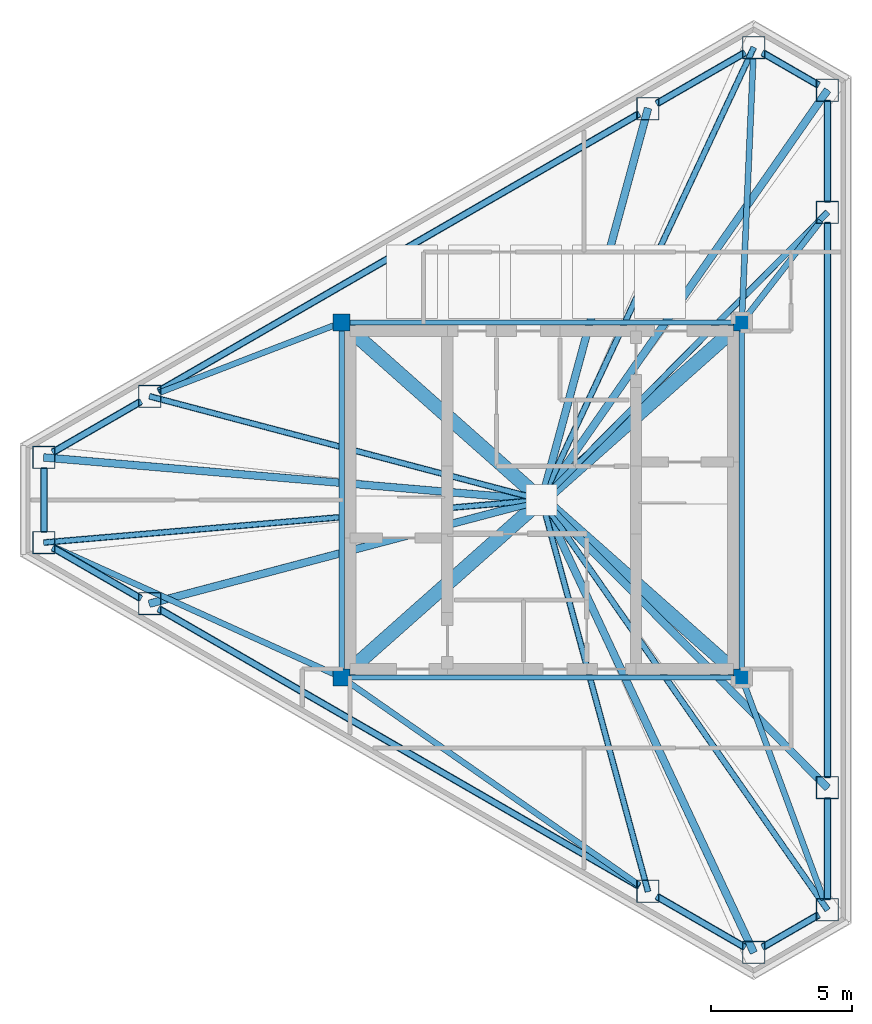
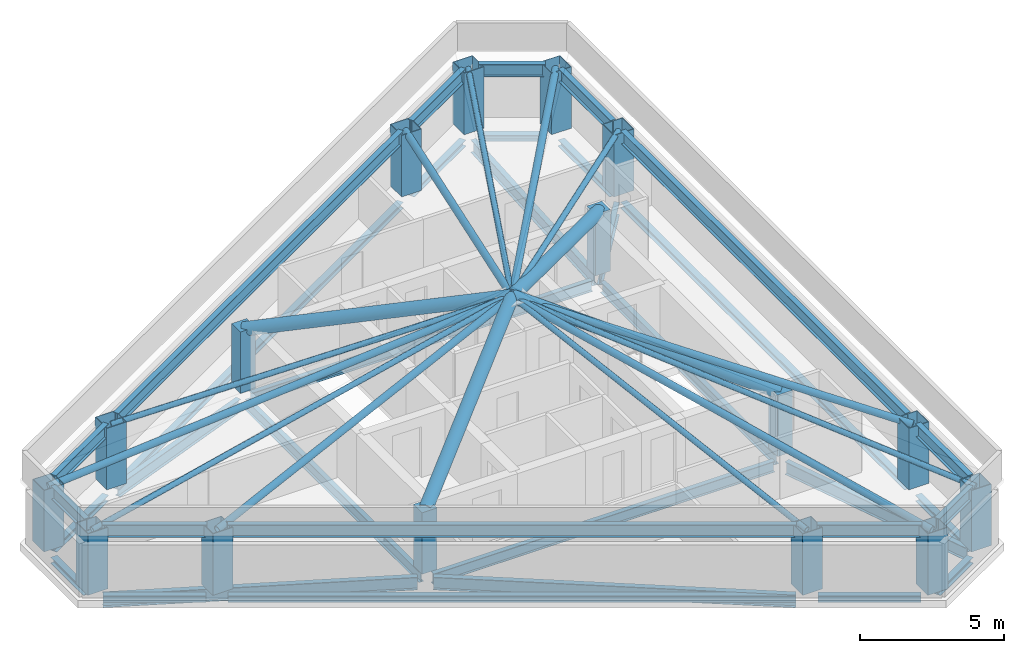
# One storey, part 1 of 5: 34 beams, 16 columns, 16 members.
"""IFC4 building model written with IfcOpenShell, lengths in metres."""

from ifc_helpers import new_model, si_unit, direction, frame, origin, origin_2d, place, context, subcontext, project, spatial, rectangle, hollow_rectangle, hollow_circle, i_section, extrude, material, material_profile, profile_set, type_object, element, save


model = new_model("IFC4")

# Units and contexts
model_context = context("Model", 3, precision=1e-05, world=origin(), true_north=direction((0.0, 1.0)))
body_context = subcontext(model_context, "Body", "Model", "MODEL_VIEW")
ifc_project = project(units=[si_unit("LENGTHUNIT", "METRE"), si_unit("AREAUNIT", "SQUARE_METRE"), si_unit("VOLUMEUNIT", "CUBIC_METRE"), si_unit("PLANEANGLEUNIT", "RADIAN"), si_unit("MASSUNIT", "GRAM", prefix="KILO")], contexts=[model_context])

# Site, building, storey
site_placement = place(None, origin())
site = spatial("IfcSite", under=ifc_project, at=site_placement, CompositionType="ELEMENT")
building_placement = place(site_placement, origin())
building = spatial("IfcBuilding", under=site, at=building_placement, Name="Mersakhor Tower and Convention Hall", CompositionType="ELEMENT")
storey_placement = place(building_placement, frame((0.0, 0.0, 264.0)))
storey = spatial("IfcBuildingStorey", under=building, at=storey_placement, Name="L73", CompositionType="ELEMENT", Elevation=264.0)

# Columns
ifc_material_1 = material(Name="Concrete C50/60 in S460M steel box", Category="concrete")
ifc_material_profile_1 = material_profile(ifc_material_1, hollow_rectangle(XDim=0.800048828125, YDim=0.800048828125, WallThickness=0.02490234375, at=origin_2d()), Name="SHS 800x800x25")
ifc_profile_set_1 = profile_set([ifc_material_profile_1], Name="Concrete C50/60 in S460M steel box")
column_type_1 = type_object("IfcColumnType", Name="COL-CFT-800", PredefinedType="COLUMN", material=ifc_profile_set_1)
for number, where, z_axis, x_axis, name in (
    (1, (11.33203125, 28.26123046875, 0.0), (0.0, 0.0, 1.0), (1.0, 0.0, 0.0), "L73 Perimeter Mega-Column MC-01"),
    (2, (15.085693359375, 30.428466796875, 0.0), (0.0, 0.0, 1.0), (1.0, 0.0, 0.0), "L73 Perimeter Mega-Column MC-02"),
    (3, (32.771484375, 40.639404296875, 0.0), (0.0, 0.0, 1.0), (1.0, 0.0, 0.0), "L73 Perimeter Mega-Column MC-03"),
    (4, (36.525146484375, 42.806640625, 0.0), (0.0, 0.0, 1.0), (1.0, 0.0, 0.0), "L73 Perimeter Mega-Column MC-04"),
    (5, (39.142822265625, 41.29541015625, 0.0), (0.0, 0.0, 1.0), (1.0, 0.0, 0.0), "L73 Perimeter Mega-Column MC-05"),
    (6, (39.142822265625, 36.960693359375, 0.0), (0.0, 0.0, 1.0), (1.0, 0.0, 0.0), "L73 Perimeter Mega-Column MC-06"),
    (7, (39.142822265625, 16.539306640625, 0.0), (0.0, 0.0, 1.0), (1.0, 0.0, 0.0), "L73 Perimeter Mega-Column MC-07"),
    (8, (39.142822265625, 12.20458984375, 0.0), (0.0, 0.0, 1.0), (1.0, 0.0, 0.0), "L73 Perimeter Mega-Column MC-08"),
    (9, (36.525146484375, 10.693359375, 0.0), (0.0, 0.0, 1.0), (1.0, 0.0, 0.0), "L73 Perimeter Mega-Column MC-09"),
    (10, (32.771484375, 12.860595703125, 0.0), (0.0, 0.0, 1.0), (1.0, 0.0, 0.0), "L73 Perimeter Mega-Column MC-10"),
    (11, (15.085693359375, 23.071533203125, 0.0), (0.0, 0.0, 1.0), (1.0, 0.0, 0.0), "L73 Perimeter Mega-Column MC-11"),
    (12, (11.33203125, 25.23876953125, 0.0), (0.0, 0.0, 1.0), (1.0, 0.0, 0.0), "L73 Perimeter Mega-Column MC-12"),
):
    element("IfcColumn", number, at=place(storey_placement, frame(where, z_axis=z_axis, x_axis=x_axis)), inside=storey, type_object=column_type_1, Name=name, PredefinedType="COLUMN", context=body_context, shape_type="SweptSolid", body=[
        extrude(hollow_rectangle(XDim=0.800048828125, YDim=0.800048828125, WallThickness=0.02490234375, at=origin_2d()), origin(), (0.0, 0.0, 1.0), 2.60009765625),
    ])
ifc_material_2 = material(Name="Concrete C50/60", Category="concrete")
ifc_material_profile_2 = material_profile(ifc_material_2, rectangle(XDim=0.60009765625, YDim=0.60009765625, at=origin_2d()), Name="RC 600x600")
ifc_profile_set_2 = profile_set([ifc_material_profile_2], Name="Concrete C50/60")
column_type_2 = type_object("IfcColumnType", Name="COL-RC-600", PredefinedType="COLUMN", material=ifc_profile_set_2)
for number, where, z_axis, x_axis, name in (
    (13, (21.89990234375, 20.449951171875, 0.0), (0.0, 0.0, 1.0), (1.0, 0.0, 0.0), "L73 Core Corner Column CC-1"),
    (14, (21.89990234375, 33.050048828125, 0.0), (0.0, 0.0, 1.0), (1.0, 0.0, 0.0), "L73 Core Corner Column CC-2"),
    (15, (36.10009765625, 33.050048828125, 0.0), (0.0, 0.0, 1.0), (1.0, 0.0, 0.0), "L73 Core Corner Column CC-3"),
    (16, (36.10009765625, 20.449951171875, 0.0), (0.0, 0.0, 1.0), (1.0, 0.0, 0.0), "L73 Core Corner Column CC-4"),
):
    element("IfcColumn", number, at=place(storey_placement, frame(where, z_axis=z_axis, x_axis=x_axis)), inside=storey, type_object=column_type_2, Name=name, PredefinedType="COLUMN", context=body_context, shape_type="SweptSolid", body=[
        extrude(rectangle(XDim=0.60009765625, YDim=0.60009765625, at=origin_2d()), origin(), (0.0, 0.0, 1.0), 2.60009765625),
    ])

# Beams
ifc_material_3 = material(Name="Steel S355", Category="steel")
ifc_material_profile_3 = material_profile(ifc_material_3, i_section(OverallWidth=0.19140625, OverallDepth=0.4599609375, WebThickness=0.010009765625, FlangeThickness=0.01611328125, at=origin_2d()), Name="UB 457x191x82")
ifc_profile_set_3 = profile_set([ifc_material_profile_3], Name="Steel S355")
beam_type_1 = type_object("IfcBeamType", Name="BM-FB-457", PredefinedType="BEAM", material=ifc_profile_set_3)
beam_1_placement = place(storey_placement, frame((21.89990234375, 20.72998046875, -0.550048828125), z_axis=(0.0, 1.0, 0.0), x_axis=(-1.0, 0.0, 0.0)))
element("IfcBeam", 17, at=beam_1_placement, inside=storey, type_object=beam_type_1, Name="L73 Core Ring Tie Beam CRB-1", PredefinedType="BEAM", context=body_context, shape_type="SweptSolid", body=[
    extrude(i_section(OverallWidth=0.19140625, OverallDepth=0.4599609375, WebThickness=0.010009765625, FlangeThickness=0.01611328125, at=origin_2d()), origin(), (0.0, 0.0, 1.0), 12.0400390625),
])
beam_2_placement = place(storey_placement, frame((22.179931640625, 33.050048828125, -0.550048828125), z_axis=(1.0, 0.0, 0.0), x_axis=(0.0, 1.0, 0.0)))
element("IfcBeam", 18, at=beam_2_placement, inside=storey, type_object=beam_type_1, Name="L73 Core Ring Tie Beam CRB-2", PredefinedType="BEAM", context=body_context, shape_type="SweptSolid", body=[
    extrude(i_section(OverallWidth=0.19140625, OverallDepth=0.4599609375, WebThickness=0.010009765625, FlangeThickness=0.01611328125, at=origin_2d()), origin(), (0.0, 0.0, 1.0), 13.64013671875),
])
beam_3_placement = place(storey_placement, frame((36.10009765625, 32.77001953125, -0.550048828125), z_axis=(0.0, -1.0, 0.0), x_axis=(1.0, 0.0, 0.0)))
element("IfcBeam", 19, at=beam_3_placement, inside=storey, type_object=beam_type_1, Name="L73 Core Ring Tie Beam CRB-3", PredefinedType="BEAM", context=body_context, shape_type="SweptSolid", body=[
    extrude(i_section(OverallWidth=0.19140625, OverallDepth=0.4599609375, WebThickness=0.010009765625, FlangeThickness=0.01611328125, at=origin_2d()), origin(), (0.0, 0.0, 1.0), 12.0400390625),
])
beam_4_placement = place(storey_placement, frame((35.820068359375, 20.449951171875, -0.550048828125), z_axis=(-1.0, 0.0, 0.0), x_axis=(0.0, -1.0, 0.0)))
element("IfcBeam", 20, at=beam_4_placement, inside=storey, type_object=beam_type_1, Name="L73 Core Ring Tie Beam CRB-4", PredefinedType="BEAM", context=body_context, shape_type="SweptSolid", body=[
    extrude(i_section(OverallWidth=0.19140625, OverallDepth=0.4599609375, WebThickness=0.010009765625, FlangeThickness=0.01611328125, at=origin_2d()), origin(), (0.0, 0.0, 1.0), 13.64013671875),
])
ifc_material_4 = material(Name="Steel S355", Category="steel")
ifc_material_profile_4 = material_profile(ifc_material_4, i_section(OverallWidth=0.2099609375, OverallDepth=0.53662109375, WebThickness=0.0107421875, FlangeThickness=0.017333984375, at=origin_2d()), Name="UB 533x210x101")
ifc_profile_set_4 = profile_set([ifc_material_profile_4], Name="Steel S355")
beam_type_2 = type_object("IfcBeamType", Name="BM-FB-533", PredefinedType="BEAM", material=ifc_profile_set_4)
beam_5_placement = place(storey_placement, frame((21.638671875, 32.949462890625, -0.58837890625), z_axis=(-0.933316231297, -0.359055444741, 0.0), x_axis=(0.359055444741, -0.933316231297, 0.0)))
element("IfcBeam", 21, at=beam_5_placement, inside=storey, type_object=beam_type_2, Name="L73 Primary Floor Girder FG-1", PredefinedType="BEAM", context=body_context, shape_type="SweptSolid", body=[
    extrude(i_section(OverallWidth=0.2099609375, OverallDepth=0.53662109375, WebThickness=0.0107421875, FlangeThickness=0.017333984375, at=origin_2d()), origin(), (0.0, 0.0, 1.0), 6.64111328125),
])
beam_6_placement = place(storey_placement, frame((36.1123046875, 33.32958984375, -0.58837890625), z_axis=(0.043540774519, 0.999051650794, 0.0), x_axis=(-0.999051650794, 0.043540774519, 0.0)))
element("IfcBeam", 22, at=beam_6_placement, inside=storey, type_object=beam_type_2, Name="L73 Primary Floor Girder FG-2", PredefinedType="BEAM", context=body_context, shape_type="SweptSolid", body=[
    extrude(i_section(OverallWidth=0.2099609375, OverallDepth=0.53662109375, WebThickness=0.0107421875, FlangeThickness=0.017333984375, at=origin_2d()), origin(), (0.0, 0.0, 1.0), 9.10595703125),
])
beam_7_placement = place(storey_placement, frame((36.27197265625, 33.27099609375, -0.58837890625), z_axis=(0.614066533088, 0.789254263809, 0.0), x_axis=(-0.789254263809, 0.614066533088, 0.0)))
element("IfcBeam", 23, at=beam_7_placement, inside=storey, type_object=beam_type_2, Name="L73 Primary Floor Girder FG-3", PredefinedType="BEAM", context=body_context, shape_type="SweptSolid", body=[
    extrude(i_section(OverallWidth=0.2099609375, OverallDepth=0.53662109375, WebThickness=0.0107421875, FlangeThickness=0.017333984375, at=origin_2d()), origin(), (0.0, 0.0, 1.0), 4.295166015625),
])
beam_8_placement = place(storey_placement, frame((36.197021484375, 20.187255859375, -0.58837890625), z_axis=(0.346207764595, -0.938157867171, 0.0), x_axis=(0.938157867171, 0.346207764595, 0.0)))
element("IfcBeam", 24, at=beam_8_placement, inside=storey, type_object=beam_type_2, Name="L73 Primary Floor Girder FG-4", PredefinedType="BEAM", context=body_context, shape_type="SweptSolid", body=[
    extrude(i_section(OverallWidth=0.2099609375, OverallDepth=0.53662109375, WebThickness=0.0107421875, FlangeThickness=0.017333984375, at=origin_2d()), origin(), (0.0, 0.0, 1.0), 8.128662109375),
])
beam_9_placement = place(storey_placement, frame((22.129638671875, 20.289794921875, -0.58837890625), z_axis=(0.819954136469, -0.572429221903, 0.0), x_axis=(0.572429221903, 0.819954136469, 0.0)))
element("IfcBeam", 25, at=beam_9_placement, inside=storey, type_object=beam_type_2, Name="L73 Primary Floor Girder FG-5", PredefinedType="BEAM", context=body_context, shape_type="SweptSolid", body=[
    extrude(i_section(OverallWidth=0.2099609375, OverallDepth=0.53662109375, WebThickness=0.0107421875, FlangeThickness=0.017333984375, at=origin_2d()), origin(), (0.0, 0.0, 1.0), 12.598388671875),
])
beam_10_placement = place(storey_placement, frame((21.64501953125, 20.565673828125, -0.58837890625), z_axis=(-0.910860191929, 0.412715047895, 0.0), x_axis=(-0.412715047895, -0.910860191929, 0.0)))
element("IfcBeam", 26, at=beam_10_placement, inside=storey, type_object=beam_type_2, Name="L73 Primary Floor Girder FG-6", PredefinedType="BEAM", context=body_context, shape_type="SweptSolid", body=[
    extrude(i_section(OverallWidth=0.2099609375, OverallDepth=0.53662109375, WebThickness=0.0107421875, FlangeThickness=0.017333984375, at=origin_2d()), origin(), (0.0, 0.0, 1.0), 10.9423828125),
])
beam_11_placement = place(storey_placement, frame((11.635009765625, 28.436279296875, 2.39990234375), z_axis=(0.866048003563, 0.499960853992, 0.0), x_axis=(-0.499960853992, 0.866048003563, 0.0)))
element("IfcBeam", 27, at=beam_11_placement, inside=storey, type_object=beam_type_2, Name="L73 Crown Eave Ring Beam ERB-01", PredefinedType="BEAM", context=body_context, shape_type="SweptSolid", body=[
    extrude(i_section(OverallWidth=0.2099609375, OverallDepth=0.53662109375, WebThickness=0.0107421875, FlangeThickness=0.017333984375, at=origin_2d()), origin(), (0.0, 0.0, 1.0), 3.634521484375),
])
beam_12_placement = place(storey_placement, frame((15.388916015625, 30.603515625, 2.39990234375), z_axis=(0.866023756959, 0.500002852375, 0.0), x_axis=(-0.500002852375, 0.866023756959, 0.0)))
element("IfcBeam", 28, at=beam_12_placement, inside=storey, type_object=beam_type_2, Name="L73 Crown Eave Ring Beam ERB-02", PredefinedType="BEAM", context=body_context, shape_type="SweptSolid", body=[
    extrude(i_section(OverallWidth=0.2099609375, OverallDepth=0.53662109375, WebThickness=0.0107421875, FlangeThickness=0.017333984375, at=origin_2d()), origin(), (0.0, 0.0, 1.0), 19.7216796875),
])
beam_13_placement = place(storey_placement, frame((33.074462890625, 40.814453125, 2.39990234375), z_axis=(0.866048003563, 0.499960853992, 0.0), x_axis=(-0.499960853992, 0.866048003563, 0.0)))
element("IfcBeam", 29, at=beam_13_placement, inside=storey, type_object=beam_type_2, Name="L73 Crown Eave Ring Beam ERB-03", PredefinedType="BEAM", context=body_context, shape_type="SweptSolid", body=[
    extrude(i_section(OverallWidth=0.2099609375, OverallDepth=0.53662109375, WebThickness=0.0107421875, FlangeThickness=0.017333984375, at=origin_2d()), origin(), (0.0, 0.0, 1.0), 3.634521484375),
])
beam_14_placement = place(storey_placement, frame((36.828369140625, 42.631591796875, 2.39990234375), z_axis=(0.865989510724, -0.500062163452, 0.0), x_axis=(0.500062163452, 0.865989510724, 0.0)))
element("IfcBeam", 30, at=beam_14_placement, inside=storey, type_object=beam_type_2, Name="L73 Crown Eave Ring Beam ERB-04", PredefinedType="BEAM", context=body_context, shape_type="SweptSolid", body=[
    extrude(i_section(OverallWidth=0.2099609375, OverallDepth=0.53662109375, WebThickness=0.0107421875, FlangeThickness=0.017333984375, at=origin_2d()), origin(), (0.0, 0.0, 1.0), 2.322509765625),
])
beam_15_placement = place(storey_placement, frame((39.142822265625, 40.9453125, 2.39990234375), z_axis=(0.0, -1.0, 0.0), x_axis=(1.0, 0.0, 0.0)))
element("IfcBeam", 31, at=beam_15_placement, inside=storey, type_object=beam_type_2, Name="L73 Crown Eave Ring Beam ERB-05", PredefinedType="BEAM", context=body_context, shape_type="SweptSolid", body=[
    extrude(i_section(OverallWidth=0.2099609375, OverallDepth=0.53662109375, WebThickness=0.0107421875, FlangeThickness=0.017333984375, at=origin_2d()), origin(), (0.0, 0.0, 1.0), 3.634521484375),
])
beam_16_placement = place(storey_placement, frame((39.142822265625, 36.61083984375, 2.39990234375), z_axis=(0.0, -1.0, 0.0), x_axis=(1.0, 0.0, 0.0)))
element("IfcBeam", 32, at=beam_16_placement, inside=storey, type_object=beam_type_2, Name="L73 Crown Eave Ring Beam ERB-06", PredefinedType="BEAM", context=body_context, shape_type="SweptSolid", body=[
    extrude(i_section(OverallWidth=0.2099609375, OverallDepth=0.53662109375, WebThickness=0.0107421875, FlangeThickness=0.017333984375, at=origin_2d()), origin(), (0.0, 0.0, 1.0), 19.7216796875),
])
beam_17_placement = place(storey_placement, frame((39.142822265625, 16.189208984375, 2.39990234375), z_axis=(0.0, -1.0, 0.0), x_axis=(1.0, 0.0, 0.0)))
element("IfcBeam", 33, at=beam_17_placement, inside=storey, type_object=beam_type_2, Name="L73 Crown Eave Ring Beam ERB-07", PredefinedType="BEAM", context=body_context, shape_type="SweptSolid", body=[
    extrude(i_section(OverallWidth=0.2099609375, OverallDepth=0.53662109375, WebThickness=0.0107421875, FlangeThickness=0.017333984375, at=origin_2d()), origin(), (0.0, 0.0, 1.0), 3.634521484375),
])
beam_18_placement = place(storey_placement, frame((38.839599609375, 12.02978515625, 2.39990234375), z_axis=(-0.865989510724, -0.500062163452, 0.0), x_axis=(0.500062163452, -0.865989510724, 0.0)))
element("IfcBeam", 34, at=beam_18_placement, inside=storey, type_object=beam_type_2, Name="L73 Crown Eave Ring Beam ERB-08", PredefinedType="BEAM", context=body_context, shape_type="SweptSolid", body=[
    extrude(i_section(OverallWidth=0.2099609375, OverallDepth=0.53662109375, WebThickness=0.0107421875, FlangeThickness=0.017333984375, at=origin_2d()), origin(), (0.0, 0.0, 1.0), 2.322509765625),
])
beam_19_placement = place(storey_placement, frame((36.22216796875, 10.868408203125, 2.39990234375), z_axis=(-0.866048003563, 0.499960853992, 0.0), x_axis=(-0.499960853992, -0.866048003563, 0.0)))
element("IfcBeam", 35, at=beam_19_placement, inside=storey, type_object=beam_type_2, Name="L73 Crown Eave Ring Beam ERB-09", PredefinedType="BEAM", context=body_context, shape_type="SweptSolid", body=[
    extrude(i_section(OverallWidth=0.2099609375, OverallDepth=0.53662109375, WebThickness=0.0107421875, FlangeThickness=0.017333984375, at=origin_2d()), origin(), (0.0, 0.0, 1.0), 3.634521484375),
])
beam_20_placement = place(storey_placement, frame((32.46826171875, 13.03564453125, 2.39990234375), z_axis=(-0.866023756959, 0.500002852375, 0.0), x_axis=(-0.500002852375, -0.866023756959, 0.0)))
element("IfcBeam", 36, at=beam_20_placement, inside=storey, type_object=beam_type_2, Name="L73 Crown Eave Ring Beam ERB-10", PredefinedType="BEAM", context=body_context, shape_type="SweptSolid", body=[
    extrude(i_section(OverallWidth=0.2099609375, OverallDepth=0.53662109375, WebThickness=0.0107421875, FlangeThickness=0.017333984375, at=origin_2d()), origin(), (0.0, 0.0, 1.0), 19.7216796875),
])
beam_21_placement = place(storey_placement, frame((14.78271484375, 23.24658203125, 2.39990234375), z_axis=(-0.866048003563, 0.499960853992, 0.0), x_axis=(-0.499960853992, -0.866048003563, 0.0)))
element("IfcBeam", 37, at=beam_21_placement, inside=storey, type_object=beam_type_2, Name="L73 Crown Eave Ring Beam ERB-11", PredefinedType="BEAM", context=body_context, shape_type="SweptSolid", body=[
    extrude(i_section(OverallWidth=0.2099609375, OverallDepth=0.53662109375, WebThickness=0.0107421875, FlangeThickness=0.017333984375, at=origin_2d()), origin(), (0.0, 0.0, 1.0), 3.634521484375),
])
beam_22_placement = place(storey_placement, frame((11.33203125, 25.588623046875, 2.39990234375), z_axis=(0.0, 1.0, 0.0), x_axis=(-1.0, 0.0, 0.0)))
element("IfcBeam", 38, at=beam_22_placement, inside=storey, type_object=beam_type_2, Name="L73 Crown Eave Ring Beam ERB-12", PredefinedType="BEAM", context=body_context, shape_type="SweptSolid", body=[
    extrude(i_section(OverallWidth=0.2099609375, OverallDepth=0.53662109375, WebThickness=0.0107421875, FlangeThickness=0.017333984375, at=origin_2d()), origin(), (0.0, 0.0, 1.0), 2.32275390625),
])
ifc_material_5 = material(Name="Steel S355", Category="steel")
ifc_material_profile_5 = material_profile(ifc_material_5, i_section(OverallWidth=0.25634765625, OverallDepth=0.26025390625, WebThickness=0.01025390625, FlangeThickness=0.017333984375, at=origin_2d()), Name="UC 254x254x89")
ifc_profile_set_5 = profile_set([ifc_material_profile_5], Name="Steel S355")
beam_type_3 = type_object("IfcBeamType", Name="BM-SPD-UC254", PredefinedType="SPANDREL", material=ifc_profile_set_5)
beam_23_placement = place(storey_placement, frame((11.6611328125, 28.451416015625, -0.4501953125), z_axis=(0.866032030752, 0.499988521579, 0.0), x_axis=(-0.499988521579, 0.866032030752, 0.0)))
element("IfcBeam", 39, at=beam_23_placement, inside=storey, type_object=beam_type_3, Name="L73 Perimeter Spandrel Beam SPB-01", PredefinedType="SPANDREL", context=body_context, shape_type="SweptSolid", body=[
    extrude(i_section(OverallWidth=0.25634765625, OverallDepth=0.26025390625, WebThickness=0.01025390625, FlangeThickness=0.017333984375, at=origin_2d()), origin(), (0.0, 0.0, 1.0), 3.57421875),
])
beam_24_placement = place(storey_placement, frame((15.414794921875, 30.618408203125, -0.4501953125), z_axis=(0.866021610626, 0.500006569886, 0.0), x_axis=(-0.500006569886, 0.866021610626, 0.0)))
element("IfcBeam", 40, at=beam_24_placement, inside=storey, type_object=beam_type_3, Name="L73 Perimeter Spandrel Beam SPB-02", PredefinedType="SPANDREL", context=body_context, shape_type="SweptSolid", body=[
    extrude(i_section(OverallWidth=0.25634765625, OverallDepth=0.26025390625, WebThickness=0.01025390625, FlangeThickness=0.017333984375, at=origin_2d()), origin(), (0.0, 0.0, 1.0), 19.661865234375),
])
beam_25_placement = place(storey_placement, frame((33.1005859375, 40.829345703125, -0.4501953125), z_axis=(0.866002454009, 0.500039748071, 0.0), x_axis=(-0.500039748071, 0.866002454009, 0.0)))
element("IfcBeam", 41, at=beam_25_placement, inside=storey, type_object=beam_type_3, Name="L73 Perimeter Spandrel Beam SPB-03", PredefinedType="SPANDREL", context=body_context, shape_type="SweptSolid", body=[
    extrude(i_section(OverallWidth=0.25634765625, OverallDepth=0.26025390625, WebThickness=0.01025390625, FlangeThickness=0.017333984375, at=origin_2d()), origin(), (0.0, 0.0, 1.0), 3.574462890625),
])
beam_26_placement = place(storey_placement, frame((36.854248046875, 42.61669921875, -0.4501953125), z_axis=(0.866016678684, -0.500015112013, 0.0), x_axis=(0.500015112013, 0.866016678684, 0.0)))
element("IfcBeam", 42, at=beam_26_placement, inside=storey, type_object=beam_type_3, Name="L73 Perimeter Spandrel Beam SPB-04", PredefinedType="SPANDREL", context=body_context, shape_type="SweptSolid", body=[
    extrude(i_section(OverallWidth=0.25634765625, OverallDepth=0.26025390625, WebThickness=0.01025390625, FlangeThickness=0.017333984375, at=origin_2d()), origin(), (0.0, 0.0, 1.0), 2.2626953125),
])
beam_27_placement = place(storey_placement, frame((39.142822265625, 40.915283203125, -0.4501953125), z_axis=(0.0, -1.0, 0.0), x_axis=(1.0, 0.0, 0.0)))
element("IfcBeam", 43, at=beam_27_placement, inside=storey, type_object=beam_type_3, Name="L73 Perimeter Spandrel Beam SPB-05", PredefinedType="SPANDREL", context=body_context, shape_type="SweptSolid", body=[
    extrude(i_section(OverallWidth=0.25634765625, OverallDepth=0.26025390625, WebThickness=0.01025390625, FlangeThickness=0.017333984375, at=origin_2d()), origin(), (0.0, 0.0, 1.0), 3.574462890625),
])
beam_28_placement = place(storey_placement, frame((39.142822265625, 36.580810546875, -0.4501953125), z_axis=(0.0, -1.0, 0.0), x_axis=(1.0, 0.0, 0.0)))
element("IfcBeam", 44, at=beam_28_placement, inside=storey, type_object=beam_type_3, Name="L73 Perimeter Spandrel Beam SPB-06", PredefinedType="SPANDREL", context=body_context, shape_type="SweptSolid", body=[
    extrude(i_section(OverallWidth=0.25634765625, OverallDepth=0.26025390625, WebThickness=0.01025390625, FlangeThickness=0.017333984375, at=origin_2d()), origin(), (0.0, 0.0, 1.0), 19.66162109375),
])
beam_29_placement = place(storey_placement, frame((39.142822265625, 16.1591796875, -0.4501953125), z_axis=(0.0, -1.0, 0.0), x_axis=(1.0, 0.0, 0.0)))
element("IfcBeam", 45, at=beam_29_placement, inside=storey, type_object=beam_type_3, Name="L73 Perimeter Spandrel Beam SPB-07", PredefinedType="SPANDREL", context=body_context, shape_type="SweptSolid", body=[
    extrude(i_section(OverallWidth=0.25634765625, OverallDepth=0.26025390625, WebThickness=0.01025390625, FlangeThickness=0.017333984375, at=origin_2d()), origin(), (0.0, 0.0, 1.0), 3.574462890625),
])
beam_30_placement = place(storey_placement, frame((38.813720703125, 12.0146484375, -0.4501953125), z_axis=(-0.866016678684, -0.500015112013, 0.0), x_axis=(0.500015112013, -0.866016678684, 0.0)))
element("IfcBeam", 46, at=beam_30_placement, inside=storey, type_object=beam_type_3, Name="L73 Perimeter Spandrel Beam SPB-08", PredefinedType="SPANDREL", context=body_context, shape_type="SweptSolid", body=[
    extrude(i_section(OverallWidth=0.25634765625, OverallDepth=0.26025390625, WebThickness=0.01025390625, FlangeThickness=0.017333984375, at=origin_2d()), origin(), (0.0, 0.0, 1.0), 2.2626953125),
])
beam_31_placement = place(storey_placement, frame((36.196044921875, 10.88330078125, -0.4501953125), z_axis=(-0.866002454009, 0.500039748071, 0.0), x_axis=(-0.500039748071, -0.866002454009, 0.0)))
element("IfcBeam", 47, at=beam_31_placement, inside=storey, type_object=beam_type_3, Name="L73 Perimeter Spandrel Beam SPB-09", PredefinedType="SPANDREL", context=body_context, shape_type="SweptSolid", body=[
    extrude(i_section(OverallWidth=0.25634765625, OverallDepth=0.26025390625, WebThickness=0.01025390625, FlangeThickness=0.017333984375, at=origin_2d()), origin(), (0.0, 0.0, 1.0), 3.574462890625),
])
beam_32_placement = place(storey_placement, frame((32.4423828125, 13.050537109375, -0.4501953125), z_axis=(-0.866021610626, 0.500006569886, 0.0), x_axis=(-0.500006569886, -0.866021610626, 0.0)))
element("IfcBeam", 48, at=beam_32_placement, inside=storey, type_object=beam_type_3, Name="L73 Perimeter Spandrel Beam SPB-10", PredefinedType="SPANDREL", context=body_context, shape_type="SweptSolid", body=[
    extrude(i_section(OverallWidth=0.25634765625, OverallDepth=0.26025390625, WebThickness=0.01025390625, FlangeThickness=0.017333984375, at=origin_2d()), origin(), (0.0, 0.0, 1.0), 19.661865234375),
])
beam_33_placement = place(storey_placement, frame((14.756591796875, 23.261474609375, -0.4501953125), z_axis=(-0.866032030752, 0.499988521579, 0.0), x_axis=(-0.499988521579, -0.866032030752, 0.0)))
element("IfcBeam", 49, at=beam_33_placement, inside=storey, type_object=beam_type_3, Name="L73 Perimeter Spandrel Beam SPB-11", PredefinedType="SPANDREL", context=body_context, shape_type="SweptSolid", body=[
    extrude(i_section(OverallWidth=0.25634765625, OverallDepth=0.26025390625, WebThickness=0.01025390625, FlangeThickness=0.017333984375, at=origin_2d()), origin(), (0.0, 0.0, 1.0), 3.57421875),
])
beam_34_placement = place(storey_placement, frame((11.33203125, 25.61865234375, -0.4501953125), z_axis=(0.0, 1.0, 0.0), x_axis=(-1.0, 0.0, 0.0)))
element("IfcBeam", 50, at=beam_34_placement, inside=storey, type_object=beam_type_3, Name="L73 Perimeter Spandrel Beam SPB-12", PredefinedType="SPANDREL", context=body_context, shape_type="SweptSolid", body=[
    extrude(i_section(OverallWidth=0.25634765625, OverallDepth=0.26025390625, WebThickness=0.01025390625, FlangeThickness=0.017333984375, at=origin_2d()), origin(), (0.0, 0.0, 1.0), 2.2626953125),
])

# Members
ifc_material_6 = material(Name="Steel S460", Category="steel")
ifc_material_profile_6 = material_profile(ifc_material_6, hollow_circle(Radius=0.25390625, WallThickness=0.030029296875, at=origin_2d()), Name="CHS 508x30")
ifc_profile_set_6 = profile_set([ifc_material_profile_6], Name="Steel S460")
member_type_1 = type_object("IfcMemberType", Name="MB-CHD-CHS508", PredefinedType="CHORD", material=ifc_profile_set_6)
for number, where, z_axis, x_axis, name in (
    (51, (21.89990234375, 20.449951171875, 2.449951171875), (0.71905394612, 0.638029952535, 0.275461798147), (-0.663707453941, 0.747992256366, 0.0), "Crown Core Apex Strut CCS-1"),
    (52, (21.89990234375, 33.050048828125, 2.449951171875), (0.71905394612, -0.638029952535, 0.275461798147), (0.663707453941, 0.747992256366, 0.0), "Crown Core Apex Strut CCS-2"),
    (53, (36.10009765625, 33.050048828125, 2.449951171875), (-0.71905394612, -0.638029952535, 0.275461798147), (0.663707453941, -0.747992256366, 0.0), "Crown Core Apex Strut CCS-3"),
    (54, (36.10009765625, 20.449951171875, 2.449951171875), (-0.71905394612, 0.638029952535, 0.275461798147), (-0.663707453941, -0.747992256366, 0.0), "Crown Core Apex Strut CCS-4"),
):
    element("IfcMember", number, at=place(storey_placement, frame(where, z_axis=z_axis, x_axis=x_axis)), inside=storey, type_object=member_type_1, Name=name, PredefinedType="CHORD", context=body_context, shape_type="SweptSolid", body=[
        extrude(hollow_circle(Radius=0.25390625, WallThickness=0.030029296875, at=origin_2d()), origin(), (0.0, 0.0, 1.0), 9.874267578125),
    ])
ifc_material_7 = material(Name="Steel S355", Category="steel")
ifc_material_profile_7 = material_profile(ifc_material_7, hollow_circle(Radius=0.109619140625, WallThickness=0.012451171875, at=origin_2d()), Name="CHS 219.1x12.5")
ifc_profile_set_7 = profile_set([ifc_material_profile_7], Name="Steel S355")
member_type_2 = type_object("IfcMemberType", Name="MB-RFT-CHS219", PredefinedType="RAFTER", material=ifc_profile_set_7)
member_1_placement = place(storey_placement, frame((15.085693359375, 30.428466796875, 2.39990234375), z_axis=(0.949362875194, -0.250979075335, 0.188996388714), x_axis=(0.255585289039, 0.966786512125, 0.0)))
element("IfcMember", 55, at=member_1_placement, inside=storey, type_object=member_type_2, Name="Crown Pyramid Rafter CRF-02", PredefinedType="RAFTER", context=body_context, shape_type="SweptSolid", body=[
    extrude(hollow_circle(Radius=0.109619140625, WallThickness=0.012451171875, at=origin_2d()), origin(), (0.0, 0.0, 1.0), 14.656494140625),
])
member_2_placement = place(storey_placement, frame((36.525146484375, 42.806640625, 2.39990234375), z_axis=(-0.419284146388, -0.894639708647, 0.154339224764), x_axis=(0.905489357566, -0.424368970749, 0.0)))
element("IfcMember", 56, at=member_2_placement, inside=storey, type_object=member_type_2, Name="Crown Pyramid Rafter CRF-04", PredefinedType="RAFTER", context=body_context, shape_type="SweptSolid", body=[
    extrude(hollow_circle(Radius=0.109619140625, WallThickness=0.012451171875, at=origin_2d()), origin(), (0.0, 0.0, 1.0), 17.947509765625),
])
member_3_placement = place(storey_placement, frame((39.142822265625, 36.960693359375, 2.39990234375), z_axis=(-0.692043633618, -0.696674470786, 0.188998124131), x_axis=(0.709460764047, -0.704744935617, 0.0)))
element("IfcMember", 57, at=member_3_placement, inside=storey, type_object=member_type_2, Name="Crown Pyramid Rafter CRF-06", PredefinedType="RAFTER", context=body_context, shape_type="SweptSolid", body=[
    extrude(hollow_circle(Radius=0.109619140625, WallThickness=0.012451171875, at=origin_2d()), origin(), (0.0, 0.0, 1.0), 14.65625),
])
member_4_placement = place(storey_placement, frame((39.142822265625, 12.20458984375, 2.39990234375), z_axis=(-0.565133137304, 0.810434518096, 0.154338682774), x_axis=(-0.820262907138, -0.57198668094, 0.0)))
element("IfcMember", 58, at=member_4_placement, inside=storey, type_object=member_type_2, Name="Crown Pyramid Rafter CRF-08", PredefinedType="RAFTER", context=body_context, shape_type="SweptSolid", body=[
    extrude(hollow_circle(Radius=0.109619140625, WallThickness=0.012451171875, at=origin_2d()), origin(), (0.0, 0.0, 1.0), 17.94775390625),
])
member_5_placement = place(storey_placement, frame((32.771484375, 12.860595703125, 2.39990234375), z_axis=(-0.257325237373, 0.947662485721, 0.188996125274), x_axis=(-0.96505486561, -0.262047908526, 0.0)))
element("IfcMember", 59, at=member_5_placement, inside=storey, type_object=member_type_2, Name="Crown Pyramid Rafter CRF-10", PredefinedType="RAFTER", context=body_context, shape_type="SweptSolid", body=[
    extrude(hollow_circle(Radius=0.109619140625, WallThickness=0.012451171875, at=origin_2d()), origin(), (0.0, 0.0, 1.0), 14.656494140625),
])
member_6_placement = place(storey_placement, frame((11.33203125, 25.23876953125, 2.39990234375), z_axis=(0.984423241966, 0.084202684443, 0.154339847769), x_axis=(-0.085223852032, 0.99636182938, 0.0)))
element("IfcMember", 60, at=member_6_placement, inside=storey, type_object=member_type_2, Name="Crown Pyramid Rafter CRF-12", PredefinedType="RAFTER", context=body_context, shape_type="SweptSolid", body=[
    extrude(hollow_circle(Radius=0.109619140625, WallThickness=0.012451171875, at=origin_2d()), origin(), (0.0, 0.0, 1.0), 17.947509765625),
])
ifc_material_8 = material(Name="Steel S355", Category="steel")
ifc_material_profile_8 = material_profile(ifc_material_8, hollow_circle(Radius=0.136474609375, WallThickness=0.01611328125, at=origin_2d()), Name="CHS 273x16")
ifc_profile_set_8 = profile_set([ifc_material_profile_8], Name="Steel S355")
member_type_3 = type_object("IfcMemberType", Name="MB-RFT-CHS273", PredefinedType="RAFTER", material=ifc_profile_set_8)
member_7_placement = place(storey_placement, frame((11.33203125, 28.26123046875, 2.39990234375), z_axis=(0.984423241966, -0.084202684443, 0.154339847769), x_axis=(0.085223852032, 0.99636182938, 0.0)))
element("IfcMember", 61, at=member_7_placement, inside=storey, type_object=member_type_3, Name="Crown Pyramid Rafter CRF-01", PredefinedType="RAFTER", context=body_context, shape_type="SweptSolid", body=[
    extrude(hollow_circle(Radius=0.136474609375, WallThickness=0.01611328125, at=origin_2d()), origin(), (0.0, 0.0, 1.0), 17.947509765625),
])
member_8_placement = place(storey_placement, frame((32.771484375, 40.639404296875, 2.39990234375), z_axis=(-0.257325237373, -0.947662485721, 0.188996125274), x_axis=(0.96505486561, -0.262047908526, 0.0)))
element("IfcMember", 62, at=member_8_placement, inside=storey, type_object=member_type_3, Name="Crown Pyramid Rafter CRF-03", PredefinedType="RAFTER", context=body_context, shape_type="SweptSolid", body=[
    extrude(hollow_circle(Radius=0.136474609375, WallThickness=0.01611328125, at=origin_2d()), origin(), (0.0, 0.0, 1.0), 14.656494140625),
])
member_9_placement = place(storey_placement, frame((39.142822265625, 41.29541015625, 2.39990234375), z_axis=(-0.565133137304, -0.810434518096, 0.154338682774), x_axis=(0.820262907138, -0.57198668094, 0.0)))
element("IfcMember", 63, at=member_9_placement, inside=storey, type_object=member_type_3, Name="Crown Pyramid Rafter CRF-05", PredefinedType="RAFTER", context=body_context, shape_type="SweptSolid", body=[
    extrude(hollow_circle(Radius=0.136474609375, WallThickness=0.01611328125, at=origin_2d()), origin(), (0.0, 0.0, 1.0), 17.94775390625),
])
member_10_placement = place(storey_placement, frame((39.142822265625, 16.539306640625, 2.39990234375), z_axis=(-0.692043633618, 0.696674470786, 0.188998124131), x_axis=(-0.709460764047, -0.704744935617, 0.0)))
element("IfcMember", 64, at=member_10_placement, inside=storey, type_object=member_type_3, Name="Crown Pyramid Rafter CRF-07", PredefinedType="RAFTER", context=body_context, shape_type="SweptSolid", body=[
    extrude(hollow_circle(Radius=0.136474609375, WallThickness=0.01611328125, at=origin_2d()), origin(), (0.0, 0.0, 1.0), 14.65625),
])
member_11_placement = place(storey_placement, frame((36.525146484375, 10.693359375, 2.39990234375), z_axis=(-0.419284146388, 0.894639708647, 0.154339224764), x_axis=(-0.905489357566, -0.424368970749, 0.0)))
element("IfcMember", 65, at=member_11_placement, inside=storey, type_object=member_type_3, Name="Crown Pyramid Rafter CRF-09", PredefinedType="RAFTER", context=body_context, shape_type="SweptSolid", body=[
    extrude(hollow_circle(Radius=0.136474609375, WallThickness=0.01611328125, at=origin_2d()), origin(), (0.0, 0.0, 1.0), 17.947509765625),
])
member_12_placement = place(storey_placement, frame((15.085693359375, 23.071533203125, 2.39990234375), z_axis=(0.949362875194, 0.250979075335, 0.188996388714), x_axis=(-0.255585289039, 0.966786512125, 0.0)))
element("IfcMember", 66, at=member_12_placement, inside=storey, type_object=member_type_3, Name="Crown Pyramid Rafter CRF-11", PredefinedType="RAFTER", context=body_context, shape_type="SweptSolid", body=[
    extrude(hollow_circle(Radius=0.136474609375, WallThickness=0.01611328125, at=origin_2d()), origin(), (0.0, 0.0, 1.0), 14.656494140625),
])

save(model, "model.ifc")
